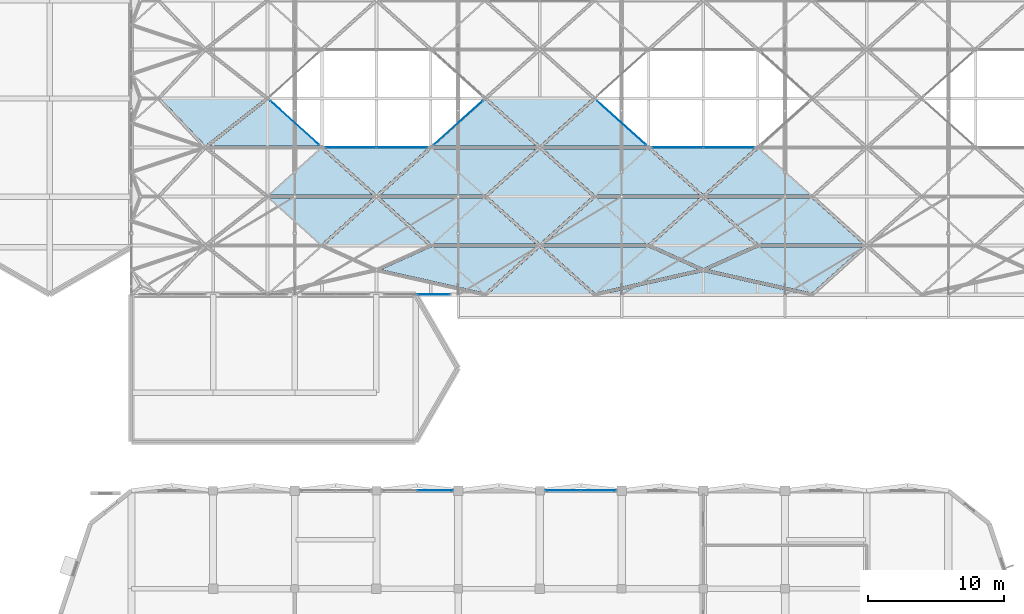
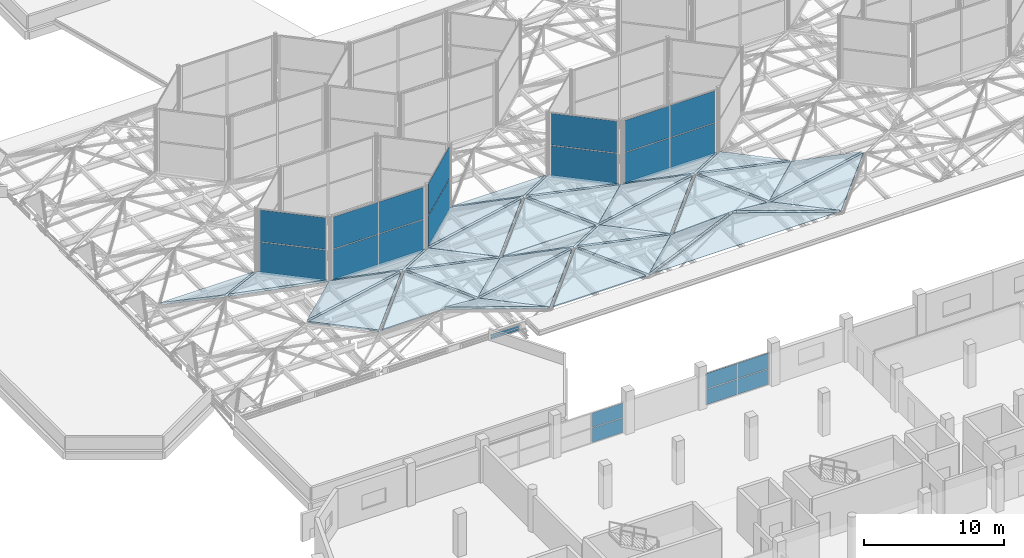
# One storey, part 210 of 239: 33 slabs, 22 plates, 8 elements without a shape of their own.
"""IFC4 building model written with IfcOpenShell, lengths in metres."""

from ifc_helpers import new_model, si_unit, direction, frame, origin, origin_2d, place, context, subcontext, project, spatial, polyline, rectangle, outline, extrude, material, layer, layer_set, type_object, element, aggregate, save


model = new_model("IFC4")

# Units and contexts
model_context = context("Model", 3, precision=1e-05, world=origin(), true_north=direction((0.0, 1.0)))
body_context = subcontext(model_context, "Body", "Model", "MODEL_VIEW")
ifc_project = project(units=[si_unit("LENGTHUNIT", "METRE"), si_unit("AREAUNIT", "SQUARE_METRE"), si_unit("VOLUMEUNIT", "CUBIC_METRE"), si_unit("PLANEANGLEUNIT", "RADIAN"), si_unit("MASSUNIT", "GRAM", prefix="KILO")], contexts=[model_context])

# Site, building, storey
site_placement = place(None, origin())
site = spatial("IfcSite", under=ifc_project, at=site_placement, CompositionType="ELEMENT")
building_placement = place(site_placement, origin())
building = spatial("IfcBuilding", under=site, at=building_placement, Name="Dunvalen Ferry Terminal", CompositionType="ELEMENT")
storey_placement = place(building_placement, frame((0.0, 0.0, 9.840087890625)))
storey = spatial("IfcBuildingStorey", under=building, at=storey_placement, Name="L02", CompositionType="ELEMENT", Elevation=9.840087890625)

# Curtain wall, plates
ifc_material_1 = material(Name="Anodised marine aluminium and solar-control glazing", Category="aluminium")
ifc_layer_1 = layer(ifc_material_1, 0.219970703125, Name="Anodised marine aluminium and solar-control glazing")
ifc_layer_set_1 = layer_set([ifc_layer_1], Name="Anodised marine aluminium and solar-control glazing")
curtain_wall_type_1 = type_object("IfcCurtainWallType", Name="ENV-CW-SYS-02", PredefinedType="NOTDEFINED", material=ifc_layer_set_1)
curtain_wall_1_placement = place(storey_placement, origin())
curtain_wall_1 = element("IfcCurtainWall", 1, at=curtain_wall_1_placement, inside=storey, type_object=curtain_wall_type_1, Name="L02 Curtain Wall CW-V1SW-CLR-04", PredefinedType="NOTDEFINED")
ifc_material_2 = material(Name="Low-E solar-control laminated double glazing", Category="glass")
ifc_layer_2 = layer(ifc_material_2, 0.031982421875, Name="Low-E solar-control laminated double glazing")
ifc_layer_set_2 = layer_set([ifc_layer_2], Name="Low-E solar-control laminated double glazing")
plate_type_1 = type_object("IfcPlateType", Name="ENV-CW-PNL-2", PredefinedType="CURTAIN_PANEL", material=ifc_layer_set_2)
plate_1_placement = place(storey_placement, frame((34.205078125, 50.39990234375, 0.2998046875), z_axis=(0.0, 0.0, 1.0), x_axis=(1.0, 0.0, 0.0)))
plate_1 = element("IfcPlate", 2, at=plate_1_placement, type_object=plate_type_1, Name="CW-02 panel 2.1", PredefinedType="CURTAIN_PANEL", context=body_context, shape_type="SweptSolid", body=[
    extrude(rectangle(XDim=2.35009765625, YDim=0.031982421875, at=origin_2d()), origin(), (0.0, 0.0, 1.0), 0.179931640625),
])
plate_2_placement = place(storey_placement, frame((34.205078125, 50.39990234375, 0.5400390625), z_axis=(0.0, 0.0, 1.0), x_axis=(1.0, 0.0, 0.0)))
plate_2 = element("IfcPlate", 3, at=plate_2_placement, type_object=plate_type_1, Name="CW-02 panel 2.2", PredefinedType="CURTAIN_PANEL", context=body_context, shape_type="SweptSolid", body=[
    extrude(rectangle(XDim=2.35009765625, YDim=0.031982421875, at=origin_2d()), origin(), (0.0, 0.0, 1.0), 0.179931640625),
])
aggregate(curtain_wall_1, [plate_1, plate_2])

ifc_layer_3 = layer(ifc_material_1, 0.14990234375, Name="Anodised marine aluminium and solar-control glazing")
ifc_layer_set_3 = layer_set([ifc_layer_3], Name="Anodised marine aluminium and solar-control glazing")
curtain_wall_type_2 = type_object("IfcCurtainWallType", Name="ENV-CW-SYS-11", PredefinedType="NOTDEFINED", material=ifc_layer_set_3)
curtain_wall_2_placement = place(storey_placement, origin())
curtain_wall_2 = element("IfcCurtainWall", 4, at=curtain_wall_2_placement, inside=storey, type_object=curtain_wall_type_2, Name="L02 Curtain Wall CW-V5CORE-L02-7-4", PredefinedType="NOTDEFINED")
plate_3_placement = place(storey_placement, frame((46.30615234375, 36.0, 0.05517578125), z_axis=(0.0, 0.0, 1.0), x_axis=(-1.0, 0.0, 0.0)))
plate_3 = element("IfcPlate", 5, at=plate_3_placement, type_object=plate_type_1, Name="CW-11 panel 1.1", PredefinedType="CURTAIN_PANEL", context=body_context, shape_type="SweptSolid", body=[
    extrude(rectangle(XDim=2.5576171875, YDim=0.031982421875, at=origin_2d()), origin(), (0.0, 0.0, 1.0), 1.327392578125),
])
plate_4_placement = place(storey_placement, frame((46.30615234375, 36.0, 1.4375), z_axis=(0.0, 0.0, 1.0), x_axis=(-1.0, 0.0, 0.0)))
plate_4 = element("IfcPlate", 6, at=plate_4_placement, type_object=plate_type_1, Name="CW-11 panel 1.2", PredefinedType="CURTAIN_PANEL", context=body_context, shape_type="SweptSolid", body=[
    extrude(rectangle(XDim=2.5576171875, YDim=0.031982421875, at=origin_2d()), origin(), (0.0, 0.0, 1.0), 1.327392578125),
])
plate_5_placement = place(storey_placement, frame((43.69384765625, 36.0, 0.05517578125), z_axis=(0.0, 0.0, 1.0), x_axis=(-1.0, 0.0, 0.0)))
plate_5 = element("IfcPlate", 7, at=plate_5_placement, type_object=plate_type_1, Name="CW-11 panel 2.1", PredefinedType="CURTAIN_PANEL", context=body_context, shape_type="SweptSolid", body=[
    extrude(rectangle(XDim=2.5576171875, YDim=0.031982421875, at=origin_2d()), origin(), (0.0, 0.0, 1.0), 1.327392578125),
])
plate_6_placement = place(storey_placement, frame((43.69384765625, 36.0, 1.4375), z_axis=(0.0, 0.0, 1.0), x_axis=(-1.0, 0.0, 0.0)))
plate_6 = element("IfcPlate", 8, at=plate_6_placement, type_object=plate_type_1, Name="CW-11 panel 2.2", PredefinedType="CURTAIN_PANEL", context=body_context, shape_type="SweptSolid", body=[
    extrude(rectangle(XDim=2.5576171875, YDim=0.031982421875, at=origin_2d()), origin(), (0.0, 0.0, 1.0), 1.327392578125),
])
aggregate(curtain_wall_2, [plate_3, plate_4, plate_5, plate_6])

curtain_wall_3_placement = place(storey_placement, origin())
curtain_wall_3 = element("IfcCurtainWall", 9, at=curtain_wall_3_placement, inside=storey, type_object=curtain_wall_type_2, Name="L02 Curtain Wall CW-V5CORE-L02-7-6", PredefinedType="NOTDEFINED")
plate_7_placement = place(storey_placement, frame((34.30615234375, 36.0, 0.054931640625), z_axis=(0.0, 0.0, 1.0), x_axis=(-1.0, 0.0, 0.0)))
plate_7 = element("IfcPlate", 10, at=plate_7_placement, type_object=plate_type_1, Name="CW-11 panel 1.1", PredefinedType="CURTAIN_PANEL", context=body_context, shape_type="SweptSolid", body=[
    extrude(rectangle(XDim=2.5576171875, YDim=0.031982421875, at=origin_2d()), origin(), (0.0, 0.0, 1.0), 1.25244140625),
])
plate_8_placement = place(storey_placement, frame((34.30615234375, 36.0, 1.362548828125), z_axis=(0.0, 0.0, 1.0), x_axis=(-1.0, 0.0, 0.0)))
plate_8 = element("IfcPlate", 11, at=plate_8_placement, type_object=plate_type_1, Name="CW-11 panel 1.2", PredefinedType="CURTAIN_PANEL", context=body_context, shape_type="SweptSolid", body=[
    extrude(rectangle(XDim=2.5576171875, YDim=0.031982421875, at=origin_2d()), origin(), (0.0, 0.0, 1.0), 1.25244140625),
])
aggregate(curtain_wall_3, [plate_7, plate_8])

ifc_layer_4 = layer(ifc_material_1, 0.179931640625, Name="Anodised marine aluminium and solar-control glazing")
ifc_layer_set_4 = layer_set([ifc_layer_4], Name="Anodised marine aluminium and solar-control glazing")
curtain_wall_type_3 = type_object("IfcCurtainWallType", Name="ENV-CW-SYS-05", PredefinedType="NOTDEFINED", material=ifc_layer_set_4)
curtain_wall_4_placement = place(storey_placement, origin())
curtain_wall_4 = element("IfcCurtainWall", 12, at=curtain_wall_4_placement, inside=storey, type_object=curtain_wall_type_3, Name="L02 Curtain Wall CW-HEX-14-SK-1", PredefinedType="NOTDEFINED")
ifc_layer_5 = layer(ifc_material_2, 0.0400390625, Name="Low-E solar-control laminated double glazing")
ifc_layer_set_5 = layer_set([ifc_layer_5], Name="Low-E solar-control laminated double glazing")
plate_type_2 = type_object("IfcPlateType", Name="ENV-CW-PNL-4", PredefinedType="CURTAIN_PANEL", material=ifc_layer_set_5)
plate_9_placement = place(storey_placement, frame((24.0, 63.0, 1.19970703125), z_axis=(0.0, 0.0, 1.0), x_axis=(0.74330420875, -0.668953550894, 0.0)))
plate_9 = element("IfcPlate", 13, at=plate_9_placement, type_object=plate_type_2, Name="CW-05 panel 1.1", PredefinedType="CURTAIN_PANEL", context=body_context, shape_type="SweptSolid", body=[
    extrude(rectangle(XDim=4.821533203125, YDim=0.0400390625, at=origin_2d()), origin(), (0.0, 0.0, 1.0), 2.760009765625),
])
plate_10_placement = place(storey_placement, frame((24.0, 63.0, 4.02001953125), z_axis=(0.0, 0.0, 1.0), x_axis=(0.74330420875, -0.668953550894, 0.0)))
plate_10 = element("IfcPlate", 14, at=plate_10_placement, type_object=plate_type_2, Name="CW-05 panel 1.2", PredefinedType="CURTAIN_PANEL", context=body_context, shape_type="SweptSolid", body=[
    extrude(rectangle(XDim=4.821533203125, YDim=0.0400390625, at=origin_2d()), origin(), (0.0, 0.0, 1.0), 2.760009765625),
])
aggregate(curtain_wall_4, [plate_9, plate_10])

ifc_layer_6 = layer(ifc_material_1, 0.179931640625, Name="Anodised marine aluminium and solar-control glazing")
ifc_layer_set_6 = layer_set([ifc_layer_6], Name="Anodised marine aluminium and solar-control glazing")
curtain_wall_type_4 = type_object("IfcCurtainWallType", Name="ENV-CW-SYS-06", PredefinedType="NOTDEFINED", material=ifc_layer_set_6)
curtain_wall_5_placement = place(storey_placement, origin())
curtain_wall_5 = element("IfcCurtainWall", 15, at=curtain_wall_5_placement, inside=storey, type_object=curtain_wall_type_4, Name="L02 Curtain Wall CW-HEX-14-SK-2", PredefinedType="NOTDEFINED")
plate_11_placement = place(storey_placement, frame((28.125, 61.199951171875, 1.19970703125), z_axis=(0.0, 0.0, 1.0), x_axis=(1.0, 0.0, 0.0)))
plate_11 = element("IfcPlate", 16, at=plate_11_placement, type_object=plate_type_2, Name="CW-06 panel 1.1", PredefinedType="CURTAIN_PANEL", context=body_context, shape_type="SweptSolid", body=[
    extrude(rectangle(XDim=3.68994140625, YDim=0.0400390625, at=origin_2d()), origin(), (0.0, 0.0, 1.0), 2.760009765625),
])
plate_12_placement = place(storey_placement, frame((28.125, 61.199951171875, 4.02001953125), z_axis=(0.0, 0.0, 1.0), x_axis=(1.0, 0.0, 0.0)))
plate_12 = element("IfcPlate", 17, at=plate_12_placement, type_object=plate_type_2, Name="CW-06 panel 1.2", PredefinedType="CURTAIN_PANEL", context=body_context, shape_type="SweptSolid", body=[
    extrude(rectangle(XDim=3.68994140625, YDim=0.0400390625, at=origin_2d()), origin(), (0.0, 0.0, 1.0), 2.760009765625),
])
plate_13_placement = place(storey_placement, frame((31.875, 61.199951171875, 1.19970703125), z_axis=(0.0, 0.0, 1.0), x_axis=(1.0, 0.0, 0.0)))
plate_13 = element("IfcPlate", 18, at=plate_13_placement, type_object=plate_type_2, Name="CW-06 panel 2.1", PredefinedType="CURTAIN_PANEL", context=body_context, shape_type="SweptSolid", body=[
    extrude(rectangle(XDim=3.68994140625, YDim=0.0400390625, at=origin_2d()), origin(), (0.0, 0.0, 1.0), 2.760009765625),
])
plate_14_placement = place(storey_placement, frame((31.875, 61.199951171875, 4.02001953125), z_axis=(0.0, 0.0, 1.0), x_axis=(1.0, 0.0, 0.0)))
plate_14 = element("IfcPlate", 19, at=plate_14_placement, type_object=plate_type_2, Name="CW-06 panel 2.2", PredefinedType="CURTAIN_PANEL", context=body_context, shape_type="SweptSolid", body=[
    extrude(rectangle(XDim=3.68994140625, YDim=0.0400390625, at=origin_2d()), origin(), (0.0, 0.0, 1.0), 2.760009765625),
])
aggregate(curtain_wall_5, [plate_11, plate_12, plate_13, plate_14])

curtain_wall_6_placement = place(storey_placement, origin())
curtain_wall_6 = element("IfcCurtainWall", 20, at=curtain_wall_6_placement, inside=storey, type_object=curtain_wall_type_3, Name="L02 Curtain Wall CW-HEX-14-SK-3", PredefinedType="NOTDEFINED")
plate_15_placement = place(storey_placement, frame((36.0, 63.0, 1.19970703125), z_axis=(0.0, 0.0, 1.0), x_axis=(0.74330420875, 0.668953550894, 0.0)))
plate_15 = element("IfcPlate", 21, at=plate_15_placement, type_object=plate_type_2, Name="CW-05 panel 1.1", PredefinedType="CURTAIN_PANEL", context=body_context, shape_type="SweptSolid", body=[
    extrude(rectangle(XDim=4.821533203125, YDim=0.0400390625, at=origin_2d()), origin(), (0.0, 0.0, 1.0), 2.760009765625),
])
plate_16_placement = place(storey_placement, frame((36.0, 63.0, 4.02001953125), z_axis=(0.0, 0.0, 1.0), x_axis=(0.74330420875, 0.668953550894, 0.0)))
plate_16 = element("IfcPlate", 22, at=plate_16_placement, type_object=plate_type_2, Name="CW-05 panel 1.2", PredefinedType="CURTAIN_PANEL", context=body_context, shape_type="SweptSolid", body=[
    extrude(rectangle(XDim=4.821533203125, YDim=0.0400390625, at=origin_2d()), origin(), (0.0, 0.0, 1.0), 2.760009765625),
])
aggregate(curtain_wall_6, [plate_15, plate_16])

curtain_wall_7_placement = place(storey_placement, origin())
curtain_wall_7 = element("IfcCurtainWall", 23, at=curtain_wall_7_placement, inside=storey, type_object=curtain_wall_type_3, Name="L02 Curtain Wall CW-HEX-25-SK-1", PredefinedType="NOTDEFINED")
plate_17_placement = place(storey_placement, frame((48.0, 63.0, 1.19970703125), z_axis=(0.0, 0.0, 1.0), x_axis=(0.74330420875, -0.668953550894, 0.0)))
plate_17 = element("IfcPlate", 24, at=plate_17_placement, type_object=plate_type_2, Name="CW-05 panel 1.1", PredefinedType="CURTAIN_PANEL", context=body_context, shape_type="SweptSolid", body=[
    extrude(rectangle(XDim=4.821533203125, YDim=0.0400390625, at=origin_2d()), origin(), (0.0, 0.0, 1.0), 2.760009765625),
])
plate_18_placement = place(storey_placement, frame((48.0, 63.0, 4.02001953125), z_axis=(0.0, 0.0, 1.0), x_axis=(0.74330420875, -0.668953550894, 0.0)))
plate_18 = element("IfcPlate", 25, at=plate_18_placement, type_object=plate_type_2, Name="CW-05 panel 1.2", PredefinedType="CURTAIN_PANEL", context=body_context, shape_type="SweptSolid", body=[
    extrude(rectangle(XDim=4.821533203125, YDim=0.0400390625, at=origin_2d()), origin(), (0.0, 0.0, 1.0), 2.760009765625),
])
aggregate(curtain_wall_7, [plate_17, plate_18])

curtain_wall_8_placement = place(storey_placement, origin())
curtain_wall_8 = element("IfcCurtainWall", 26, at=curtain_wall_8_placement, inside=storey, type_object=curtain_wall_type_4, Name="L02 Curtain Wall CW-HEX-25-SK-2", PredefinedType="NOTDEFINED")
plate_19_placement = place(storey_placement, frame((52.125, 61.199951171875, 1.19970703125), z_axis=(0.0, 0.0, 1.0), x_axis=(1.0, 0.0, 0.0)))
plate_19 = element("IfcPlate", 27, at=plate_19_placement, type_object=plate_type_2, Name="CW-06 panel 1.1", PredefinedType="CURTAIN_PANEL", context=body_context, shape_type="SweptSolid", body=[
    extrude(rectangle(XDim=3.68994140625, YDim=0.0400390625, at=origin_2d()), origin(), (0.0, 0.0, 1.0), 2.760009765625),
])
plate_20_placement = place(storey_placement, frame((52.125, 61.199951171875, 4.02001953125), z_axis=(0.0, 0.0, 1.0), x_axis=(1.0, 0.0, 0.0)))
plate_20 = element("IfcPlate", 28, at=plate_20_placement, type_object=plate_type_2, Name="CW-06 panel 1.2", PredefinedType="CURTAIN_PANEL", context=body_context, shape_type="SweptSolid", body=[
    extrude(rectangle(XDim=3.68994140625, YDim=0.0400390625, at=origin_2d()), origin(), (0.0, 0.0, 1.0), 2.760009765625),
])
plate_21_placement = place(storey_placement, frame((55.875, 61.199951171875, 1.19970703125), z_axis=(0.0, 0.0, 1.0), x_axis=(1.0, 0.0, 0.0)))
plate_21 = element("IfcPlate", 29, at=plate_21_placement, type_object=plate_type_2, Name="CW-06 panel 2.1", PredefinedType="CURTAIN_PANEL", context=body_context, shape_type="SweptSolid", body=[
    extrude(rectangle(XDim=3.68994140625, YDim=0.0400390625, at=origin_2d()), origin(), (0.0, 0.0, 1.0), 2.760009765625),
])
plate_22_placement = place(storey_placement, frame((55.875, 61.199951171875, 4.02001953125), z_axis=(0.0, 0.0, 1.0), x_axis=(1.0, 0.0, 0.0)))
plate_22 = element("IfcPlate", 30, at=plate_22_placement, type_object=plate_type_2, Name="CW-06 panel 2.2", PredefinedType="CURTAIN_PANEL", context=body_context, shape_type="SweptSolid", body=[
    extrude(rectangle(XDim=3.68994140625, YDim=0.0400390625, at=origin_2d()), origin(), (0.0, 0.0, 1.0), 2.760009765625),
])
aggregate(curtain_wall_8, [plate_19, plate_20, plate_21, plate_22])

# Slabs
ifc_material_3 = material(Name="Precast concrete C40/50 - Atlantic Blue Marine Enamel", Category="concrete")
ifc_layer_7 = layer(ifc_material_3, 0.18994140625, Name="Precast concrete C40/50 - Atlantic Blue Marine Enamel")
ifc_layer_set_7 = layer_set([ifc_layer_7], Name="Precast concrete C40/50 - Atlantic Blue Marine Enamel")
slab_type_1 = type_object("IfcSlabType", Name="STR-ROOF-HEX-ATLANTIC", PredefinedType="ROOF", material=ifc_layer_set_7)
slab_1_placement = place(storey_placement, frame((34.117919921875, 61.093994140625, 1.406982421875), z_axis=(-0.200317741298, -0.222548281592, 0.954120047416), x_axis=(0.743253811371, -0.669009545434, 0.0)))
element("IfcSlab", 31, at=slab_1_placement, inside=storey, type_object=slab_type_1, Name="HEX-19 Sea-Roof Pyramid Facet 1", PredefinedType="ROOF", context=body_context, shape_type="SweptSolid", body=[
    extrude(outline(polyline([(0.0, 0.0), (5.116661976626771, 4.440892098500626e-16), (5.653338011050778, 5.33331335219247), (0.0, 0.0)])), origin(), (0.0, 0.0, -1.0), 0.18994140625),
])
slab_2_placement = place(storey_placement, frame((38.157958984375, 57.60009765625, 1.406982421875), z_axis=(0.0, -0.422857435306, 0.906196220146), x_axis=(1.0, 0.0, 0.0)))
element("IfcSlab", 32, at=slab_2_placement, inside=storey, type_object=slab_type_1, Name="HEX-19 Sea-Roof Pyramid Facet 2", PredefinedType="ROOF", context=body_context, shape_type="SweptSolid", body=[
    extrude(outline(polyline([(0.0, 0.0), (7.68408203125, 0.0), (3.842041015625, 3.8146121474878703), (0.0, 0.0)])), origin(), (0.0, 0.0, -1.0), 0.18994140625),
])
slab_3_placement = place(storey_placement, frame((46.0791015625, 57.6708984375, 1.406982421875), z_axis=(0.200317741298, -0.222548281592, 0.954120047416), x_axis=(0.743253811371, 0.669009545434, 0.0)))
element("IfcSlab", 33, at=slab_3_placement, inside=storey, type_object=slab_type_1, Name="HEX-19 Sea-Roof Pyramid Facet 3", PredefinedType="ROOF", context=body_context, shape_type="SweptSolid", body=[
    extrude(outline(polyline([(0.0, 0.0), (5.116661976626771, -4.440892098500626e-16), (-0.5366760344240071, 5.333313352192469), (0.0, 0.0)])), origin(), (0.0, 0.0, -1.0), 0.18994140625),
])
slab_4_placement = place(storey_placement, frame((49.882080078125, 61.305908203125, 1.406982421875), z_axis=(0.200317741298, 0.222548281592, 0.954120047416), x_axis=(-0.743253811371, 0.669009545434, 0.0)))
element("IfcSlab", 34, at=slab_4_placement, inside=storey, type_object=slab_type_1, Name="HEX-19 Sea-Roof Pyramid Facet 4", PredefinedType="ROOF", context=body_context, shape_type="SweptSolid", body=[
    extrude(outline(polyline([(0.0, 0.0), (5.116661976626771, 4.440892098500626e-16), (5.653338011050778, 5.33331335219247), (0.0, 0.0)])), origin(), (0.0, 0.0, -1.0), 0.18994140625),
])
slab_5_placement = place(storey_placement, frame((45.842041015625, 64.800048828125, 1.406982421875), z_axis=(0.0, 0.422832911751, 0.906207663144), x_axis=(-1.0, 0.0, 0.0)))
element("IfcSlab", 35, at=slab_5_placement, inside=storey, type_object=slab_type_1, Name="HEX-19 Sea-Roof Pyramid Facet 5", PredefinedType="ROOF", context=body_context, shape_type="SweptSolid", body=[
    extrude(outline(polyline([(0.0, 0.0), (7.68408203125, 0.0), (3.842041015625, 3.8148333881963206), (0.0, 0.0)])), origin(), (0.0, 0.0, -1.0), 0.18994140625),
])
slab_6_placement = place(storey_placement, frame((37.9208984375, 64.72900390625, 1.406982421875), z_axis=(-0.200317741298, 0.222548281592, 0.954120047416), x_axis=(-0.743253811371, -0.669009545434, 0.0)))
element("IfcSlab", 36, at=slab_6_placement, inside=storey, type_object=slab_type_1, Name="HEX-19 Sea-Roof Pyramid Facet 6", PredefinedType="ROOF", context=body_context, shape_type="SweptSolid", body=[
    extrude(outline(polyline([(0.0, 0.0), (5.116661976626771, -4.440892098500626e-16), (-0.5366760344240071, 5.333313352192469), (0.0, 0.0)])), origin(), (0.0, 0.0, -1.0), 0.18994140625),
])
ifc_material_4 = material(Name="Precast concrete C40/50 - Cerulean Sea Marine Enamel", Category="concrete")
ifc_layer_8 = layer(ifc_material_4, 0.179931640625, Name="Precast concrete C40/50 - Cerulean Sea Marine Enamel")
ifc_layer_set_8 = layer_set([ifc_layer_8], Name="Precast concrete C40/50 - Cerulean Sea Marine Enamel")
slab_type_2 = type_object("IfcSlabType", Name="STR-ROOF-HEX-CERULEAN", PredefinedType="ROOF", material=ifc_layer_set_8)
slab_7_placement = place(storey_placement, frame((25.882080078125, 61.305908203125, 1.39697265625), z_axis=(0.188106426033, 0.208987755769, 0.959656235547), x_axis=(-0.743263293857, 0.668999010466, 0.0)))
element("IfcSlab", 37, at=slab_7_placement, inside=storey, type_object=slab_type_2, Name="HEX-08 Sea-Roof Pyramid Facet 5", PredefinedType="ROOF", context=body_context, shape_type="SweptSolid", body=[
    extrude(outline(polyline([(0.0, 0.0), (5.115282813706228, 4.440892098500626e-16), (6.0553457314466606, 5.67944691384375), (0.0, 0.0)])), origin(), (0.0, 0.0, -1.0), 0.179931640625),
])
slab_8_placement = place(storey_placement, frame((21.8291015625, 64.800048828125, 1.39697265625), z_axis=(0.0, 0.422832911751, 0.906207663144), x_axis=(-1.0, 0.0, 0.0)))
element("IfcSlab", 38, at=slab_8_placement, inside=storey, type_object=slab_type_2, Name="HEX-08 Sea-Roof Pyramid Facet 6", PredefinedType="ROOF", context=body_context, shape_type="SweptSolid", body=[
    extrude(outline(polyline([(0.0, 0.0), (7.68310546875, 0.0), (4.39013671875, 3.8148333881963206), (0.0, 0.0)])), origin(), (0.0, 0.0, -1.0), 0.179931640625),
])
slab_9_placement = place(storey_placement, frame((37.839111328125, 50.544921875, 1.39697265625), z_axis=(0.258237566601, 0.286903672136, 0.922496418481), x_axis=(-0.743262892479, 0.6689994564, 0.0)))
element("IfcSlab", 39, at=slab_9_placement, inside=storey, type_object=slab_type_2, Name="HEX-12 Sea-Roof Pyramid Facet 2", PredefinedType="ROOF", context=body_context, shape_type="SweptSolid", body=[
    extrude(outline(polyline([(0.0, 0.0), (5.049591290109644, -4.440892098500626e-16), (6.708924772619506, 4.0826546327121624), (0.0, 0.0)])), origin(), (0.0, 0.0, -1.0), 0.179931640625),
])
slab_10_placement = place(storey_placement, frame((22.117919921875, 57.493896484375, 1.39697265625), z_axis=(-0.200317033625, -0.222563368957, 0.954116676743), x_axis=(0.743277537566, -0.668983185252, 0.0)))
element("IfcSlab", 40, at=slab_10_placement, inside=storey, type_object=slab_type_2, Name="HEX-13 Sea-Roof Pyramid Facet 1", PredefinedType="ROOF", context=body_context, shape_type="SweptSolid", body=[
    extrude(outline(polyline([(0.0, 0.0), (5.116498647435961, 0.0), (5.65351847726143, 5.333122050650035), (0.0, 0.0)])), origin(), (0.0, 0.0, -1.0), 0.179931640625),
])
slab_11_placement = place(storey_placement, frame((26.157958984375, 54.0, 1.39697265625), z_axis=(0.0, -0.422832911751, 0.906207663144), x_axis=(1.0, 0.0, 0.0)))
element("IfcSlab", 41, at=slab_11_placement, inside=storey, type_object=slab_type_2, Name="HEX-13 Sea-Roof Pyramid Facet 2", PredefinedType="ROOF", context=body_context, shape_type="SweptSolid", body=[
    extrude(outline(polyline([(0.0, 0.0), (7.68408203125, 0.0), (3.842041015625, 3.8148333881963206), (0.0, 0.0)])), origin(), (0.0, 0.0, -1.0), 0.179931640625),
])
slab_12_placement = place(storey_placement, frame((34.0791015625, 54.071044921875, 1.39697265625), z_axis=(0.200317033625, -0.222563368957, 0.954116676743), x_axis=(0.743277537566, 0.668983185252, 0.0)))
element("IfcSlab", 42, at=slab_12_placement, inside=storey, type_object=slab_type_2, Name="HEX-13 Sea-Roof Pyramid Facet 3", PredefinedType="ROOF", context=body_context, shape_type="SweptSolid", body=[
    extrude(outline(polyline([(0.0, 0.0), (5.116498647435961, 0.0), (-0.5370198298254691, 5.333122050650035), (0.0, 0.0)])), origin(), (0.0, 0.0, -1.0), 0.179931640625),
])
slab_13_placement = place(storey_placement, frame((37.882080078125, 57.7060546875, 1.39697265625), z_axis=(0.200317033625, 0.222563368957, 0.954116676743), x_axis=(-0.743277537566, 0.668983185252, 0.0)))
element("IfcSlab", 43, at=slab_13_placement, inside=storey, type_object=slab_type_2, Name="HEX-13 Sea-Roof Pyramid Facet 4", PredefinedType="ROOF", context=body_context, shape_type="SweptSolid", body=[
    extrude(outline(polyline([(0.0, 0.0), (5.116498647435961, 0.0), (5.65351847726143, 5.333122050650035), (0.0, 0.0)])), origin(), (0.0, 0.0, -1.0), 0.179931640625),
])
slab_14_placement = place(storey_placement, frame((33.842041015625, 61.199951171875, 1.39697265625), z_axis=(0.0, 0.422832911751, 0.906207663144), x_axis=(-1.0, 0.0, 0.0)))
element("IfcSlab", 44, at=slab_14_placement, inside=storey, type_object=slab_type_2, Name="HEX-13 Sea-Roof Pyramid Facet 5", PredefinedType="ROOF", context=body_context, shape_type="SweptSolid", body=[
    extrude(outline(polyline([(0.0, 0.0), (7.68408203125, 0.0), (3.842041015625, 3.8148333881963206), (0.0, 0.0)])), origin(), (0.0, 0.0, -1.0), 0.179931640625),
])
slab_15_placement = place(storey_placement, frame((25.9208984375, 61.12890625, 1.39697265625), z_axis=(-0.200317033625, 0.222563368957, 0.954116676743), x_axis=(-0.743277537566, -0.668983185252, 0.0)))
element("IfcSlab", 45, at=slab_15_placement, inside=storey, type_object=slab_type_2, Name="HEX-13 Sea-Roof Pyramid Facet 6", PredefinedType="ROOF", context=body_context, shape_type="SweptSolid", body=[
    extrude(outline(polyline([(0.0, 0.0), (5.116498647435961, 0.0), (-0.5370198298254691, 5.333122050650035), (0.0, 0.0)])), origin(), (0.0, 0.0, -1.0), 0.179931640625),
])
slab_16_placement = place(storey_placement, frame((34.117919921875, 53.89404296875, 1.39697265625), z_axis=(-0.200317741298, -0.222548281592, 0.954120047416), x_axis=(0.743253811371, -0.669009545434, 0.0)))
element("IfcSlab", 46, at=slab_16_placement, inside=storey, type_object=slab_type_2, Name="HEX-18 Sea-Roof Pyramid Facet 1", PredefinedType="ROOF", context=body_context, shape_type="SweptSolid", body=[
    extrude(outline(polyline([(0.0, 0.0), (5.116661976626771, 4.440892098500626e-16), (5.653338011050778, 5.33331335219247), (0.0, 0.0)])), origin(), (0.0, 0.0, -1.0), 0.179931640625),
])
slab_17_placement = place(storey_placement, frame((38.157958984375, 50.39990234375, 1.39697265625), z_axis=(0.0, -0.422832911751, 0.906207663144), x_axis=(1.0, 0.0, 0.0)))
element("IfcSlab", 47, at=slab_17_placement, inside=storey, type_object=slab_type_2, Name="HEX-18 Sea-Roof Pyramid Facet 2", PredefinedType="ROOF", context=body_context, shape_type="SweptSolid", body=[
    extrude(outline(polyline([(0.0, 0.0), (7.68408203125, 0.0), (3.842041015625, 3.8148333881963206), (0.0, 0.0)])), origin(), (0.0, 0.0, -1.0), 0.179931640625),
])
slab_18_placement = place(storey_placement, frame((46.0791015625, 50.470947265625, 1.39697265625), z_axis=(0.200317741298, -0.222548281592, 0.954120047416), x_axis=(0.743253811371, 0.669009545434, 0.0)))
element("IfcSlab", 48, at=slab_18_placement, inside=storey, type_object=slab_type_2, Name="HEX-18 Sea-Roof Pyramid Facet 3", PredefinedType="ROOF", context=body_context, shape_type="SweptSolid", body=[
    extrude(outline(polyline([(0.0, 0.0), (5.116661976626771, -4.440892098500626e-16), (-0.5366760344240071, 5.333313352192469), (0.0, 0.0)])), origin(), (0.0, 0.0, -1.0), 0.179931640625),
])
slab_19_placement = place(storey_placement, frame((49.882080078125, 54.10595703125, 1.39697265625), z_axis=(0.200317741298, 0.222548281592, 0.954120047416), x_axis=(-0.743253811371, 0.669009545434, 0.0)))
element("IfcSlab", 49, at=slab_19_placement, inside=storey, type_object=slab_type_2, Name="HEX-18 Sea-Roof Pyramid Facet 4", PredefinedType="ROOF", context=body_context, shape_type="SweptSolid", body=[
    extrude(outline(polyline([(0.0, 0.0), (5.116661976626771, 4.440892098500626e-16), (5.653338011050778, 5.33331335219247), (0.0, 0.0)])), origin(), (0.0, 0.0, -1.0), 0.179931640625),
])
slab_20_placement = place(storey_placement, frame((45.842041015625, 57.60009765625, 1.39697265625), z_axis=(0.0, 0.422832911751, 0.906207663144), x_axis=(-1.0, 0.0, 0.0)))
element("IfcSlab", 50, at=slab_20_placement, inside=storey, type_object=slab_type_2, Name="HEX-18 Sea-Roof Pyramid Facet 5", PredefinedType="ROOF", context=body_context, shape_type="SweptSolid", body=[
    extrude(outline(polyline([(0.0, 0.0), (7.68408203125, 0.0), (3.842041015625, 3.8148333881963206), (0.0, 0.0)])), origin(), (0.0, 0.0, -1.0), 0.179931640625),
])
slab_21_placement = place(storey_placement, frame((37.9208984375, 57.529052734375, 1.39697265625), z_axis=(-0.200317741298, 0.222548281592, 0.954120047416), x_axis=(-0.743253811371, -0.669009545434, 0.0)))
element("IfcSlab", 51, at=slab_21_placement, inside=storey, type_object=slab_type_2, Name="HEX-18 Sea-Roof Pyramid Facet 6", PredefinedType="ROOF", context=body_context, shape_type="SweptSolid", body=[
    extrude(outline(polyline([(0.0, 0.0), (5.116661976626771, -4.440892098500626e-16), (-0.5366760344240071, 5.333313352192469), (0.0, 0.0)])), origin(), (0.0, 0.0, -1.0), 0.179931640625),
])
slab_22_placement = place(storey_placement, frame((46.117919921875, 57.493896484375, 1.39697265625), z_axis=(-0.200317033625, -0.222563368957, 0.954116676743), x_axis=(0.743277537566, -0.668983185252, 0.0)))
element("IfcSlab", 52, at=slab_22_placement, inside=storey, type_object=slab_type_2, Name="HEX-24 Sea-Roof Pyramid Facet 1", PredefinedType="ROOF", context=body_context, shape_type="SweptSolid", body=[
    extrude(outline(polyline([(0.0, 0.0), (5.116498647435961, 0.0), (5.65351847726143, 5.333122050650035), (0.0, 0.0)])), origin(), (0.0, 0.0, -1.0), 0.179931640625),
])
slab_23_placement = place(storey_placement, frame((50.157958984375, 54.0, 1.39697265625), z_axis=(0.0, -0.422832911751, 0.906207663144), x_axis=(1.0, 0.0, 0.0)))
element("IfcSlab", 53, at=slab_23_placement, inside=storey, type_object=slab_type_2, Name="HEX-24 Sea-Roof Pyramid Facet 2", PredefinedType="ROOF", context=body_context, shape_type="SweptSolid", body=[
    extrude(outline(polyline([(0.0, 0.0), (7.68408203125, 0.0), (3.842041015625, 3.8148333881963206), (0.0, 0.0)])), origin(), (0.0, 0.0, -1.0), 0.179931640625),
])
slab_24_placement = place(storey_placement, frame((58.0791015625, 54.071044921875, 1.39697265625), z_axis=(0.200317033625, -0.222563368957, 0.954116676743), x_axis=(0.743277537566, 0.668983185252, 0.0)))
element("IfcSlab", 54, at=slab_24_placement, inside=storey, type_object=slab_type_2, Name="HEX-24 Sea-Roof Pyramid Facet 3", PredefinedType="ROOF", context=body_context, shape_type="SweptSolid", body=[
    extrude(outline(polyline([(0.0, 0.0), (5.116498647435961, 0.0), (-0.5370198298254691, 5.333122050650035), (0.0, 0.0)])), origin(), (0.0, 0.0, -1.0), 0.179931640625),
])
slab_25_placement = place(storey_placement, frame((61.882080078125, 57.7060546875, 1.39697265625), z_axis=(0.200317033625, 0.222563368957, 0.954116676743), x_axis=(-0.743277537566, 0.668983185252, 0.0)))
element("IfcSlab", 55, at=slab_25_placement, inside=storey, type_object=slab_type_2, Name="HEX-24 Sea-Roof Pyramid Facet 4", PredefinedType="ROOF", context=body_context, shape_type="SweptSolid", body=[
    extrude(outline(polyline([(0.0, 0.0), (5.116498647435961, 0.0), (5.65351847726143, 5.333122050650035), (0.0, 0.0)])), origin(), (0.0, 0.0, -1.0), 0.179931640625),
])
slab_26_placement = place(storey_placement, frame((57.842041015625, 61.199951171875, 1.39697265625), z_axis=(0.0, 0.422832911751, 0.906207663144), x_axis=(-1.0, 0.0, 0.0)))
element("IfcSlab", 56, at=slab_26_placement, inside=storey, type_object=slab_type_2, Name="HEX-24 Sea-Roof Pyramid Facet 5", PredefinedType="ROOF", context=body_context, shape_type="SweptSolid", body=[
    extrude(outline(polyline([(0.0, 0.0), (7.68408203125, 0.0), (3.842041015625, 3.8148333881963206), (0.0, 0.0)])), origin(), (0.0, 0.0, -1.0), 0.179931640625),
])
slab_27_placement = place(storey_placement, frame((49.9208984375, 61.12890625, 1.39697265625), z_axis=(-0.200317033625, 0.222563368957, 0.954116676743), x_axis=(-0.743277537566, -0.668983185252, 0.0)))
element("IfcSlab", 57, at=slab_27_placement, inside=storey, type_object=slab_type_2, Name="HEX-24 Sea-Roof Pyramid Facet 6", PredefinedType="ROOF", context=body_context, shape_type="SweptSolid", body=[
    extrude(outline(polyline([(0.0, 0.0), (5.116498647435961, 0.0), (-0.5370198298254691, 5.333122050650035), (0.0, 0.0)])), origin(), (0.0, 0.0, -1.0), 0.179931640625),
])
ifc_material_5 = material(Name="Precast concrete C40/50 - Pale Sea-Mist Marine Enamel", Category="concrete")
ifc_layer_9 = layer(ifc_material_5, 0.169921875, Name="Precast concrete C40/50 - Pale Sea-Mist Marine Enamel")
ifc_layer_set_9 = layer_set([ifc_layer_9], Name="Precast concrete C40/50 - Pale Sea-Mist Marine Enamel")
slab_type_3 = type_object("IfcSlabType", Name="STR-ROOF-HEX-SEAMIST", PredefinedType="ROOF", material=ifc_layer_set_9)
slab_28_placement = place(storey_placement, frame((46.48291015625, 50.39990234375, 1.386962890625), z_axis=(0.0, -0.682419756781, 0.730960515729), x_axis=(1.0, 0.0, 0.0)))
element("IfcSlab", 58, at=slab_28_placement, inside=storey, type_object=slab_type_3, Name="HEX-23 Sea-Roof Pyramid Facet 1", PredefinedType="ROOF", context=body_context, shape_type="SweptSolid", body=[
    extrude(outline(polyline([(0.0, 0.0), (15.0341796875, 0.0), (7.51708984375, 2.3136162254780874), (0.0, 0.0)])), origin(), (0.0, 0.0, -1.0), 0.169921875),
])
slab_29_placement = place(storey_placement, frame((61.839111328125, 50.544921875, 1.386962890625), z_axis=(0.258237566601, 0.286903672136, 0.922496418481), x_axis=(-0.743262892479, 0.6689994564, 0.0)))
element("IfcSlab", 59, at=slab_29_placement, inside=storey, type_object=slab_type_3, Name="HEX-23 Sea-Roof Pyramid Facet 2", PredefinedType="ROOF", context=body_context, shape_type="SweptSolid", body=[
    extrude(outline(polyline([(0.0, 0.0), (5.049591290109644, -4.440892098500626e-16), (6.708924772619506, 4.0826546327121624), (0.0, 0.0)])), origin(), (0.0, 0.0, -1.0), 0.169921875),
])
slab_30_placement = place(storey_placement, frame((57.741943359375, 54.0, 1.386962890625), z_axis=(0.0, 0.68236733422, 0.731009453557), x_axis=(-1.0, 0.0, 0.0)))
element("IfcSlab", 60, at=slab_30_placement, inside=storey, type_object=slab_type_3, Name="HEX-23 Sea-Roof Pyramid Facet 3", PredefinedType="ROOF", context=body_context, shape_type="SweptSolid", body=[
    extrude(outline(polyline([(0.0, 0.0), (7.48388671875, 0.0), (3.741943359375, 2.3037759950385164), (0.0, 0.0)])), origin(), (0.0, 0.0, -1.0), 0.169921875),
])
slab_31_placement = place(storey_placement, frame((49.9140625, 53.923095703125, 1.386962890625), z_axis=(-0.258237566601, 0.286903672136, 0.922496418481), x_axis=(-0.743262892479, -0.6689994564, 0.0)))
element("IfcSlab", 61, at=slab_31_placement, inside=storey, type_object=slab_type_3, Name="HEX-23 Sea-Roof Pyramid Facet 4", PredefinedType="ROOF", context=body_context, shape_type="SweptSolid", body=[
    extrude(outline(polyline([(0.0, 0.0), (5.049591290109644, 4.440892098500626e-16), (-1.659333482509861, 4.0826546327121624), (0.0, 0.0)])), origin(), (0.0, 0.0, -1.0), 0.169921875),
])
slab_32_placement = place(storey_placement, frame((58.117919921875, 53.89404296875, 1.386962890625), z_axis=(-0.200317741298, -0.222548281592, 0.954120047416), x_axis=(0.743253811371, -0.669009545434, 0.0)))
element("IfcSlab", 62, at=slab_32_placement, inside=storey, type_object=slab_type_3, Name="HEX-29 Sea-Roof Pyramid Facet 1", PredefinedType="ROOF", context=body_context, shape_type="SweptSolid", body=[
    extrude(outline(polyline([(0.0, 0.0), (5.116661976626771, 4.440892098500626e-16), (5.653338011050778, 5.33331335219247), (0.0, 0.0)])), origin(), (0.0, 0.0, -1.0), 0.169921875),
])
slab_33_placement = place(storey_placement, frame((61.9208984375, 57.529052734375, 1.386962890625), z_axis=(-0.200317741298, 0.222548281592, 0.954120047416), x_axis=(-0.743253811371, -0.669009545434, 0.0)))
element("IfcSlab", 63, at=slab_33_placement, inside=storey, type_object=slab_type_3, Name="HEX-29 Sea-Roof Pyramid Facet 6", PredefinedType="ROOF", context=body_context, shape_type="SweptSolid", body=[
    extrude(outline(polyline([(0.0, 0.0), (5.116661976626771, -4.440892098500626e-16), (-0.5366760344240071, 5.333313352192469), (0.0, 0.0)])), origin(), (0.0, 0.0, -1.0), 0.169921875),
])

save(model, "model.ifc")
